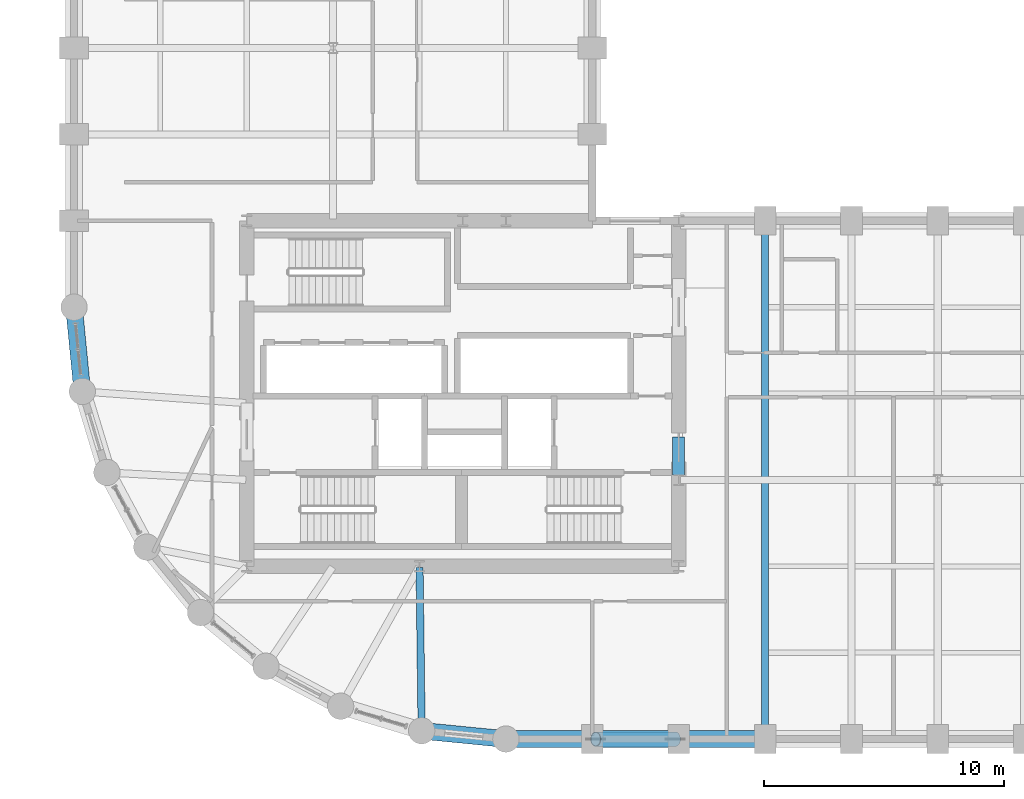
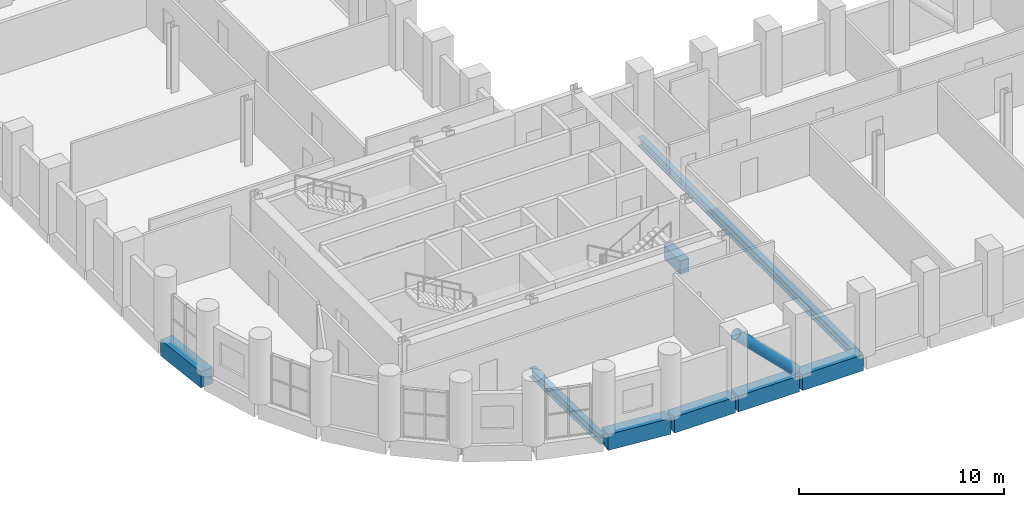
# One storey, part 4 of 13: 8 beams, 1 member.
"""IFC4 building model written with IfcOpenShell, lengths in metres."""

from ifc_helpers import new_model, si_unit, direction, frame, origin, origin_2d, place, context, subcontext, project, spatial, rectangle, hollow_circle, i_section, extrude, material, material_profile, profile_set, type_object, element, save


model = new_model("IFC4")

# Units and contexts
model_context = context("Model", 3, precision=1e-05, world=origin(), true_north=direction((0.0, 1.0)))
body_context = subcontext(model_context, "Body", "Model", "MODEL_VIEW")
ifc_project = project(units=[si_unit("LENGTHUNIT", "METRE"), si_unit("AREAUNIT", "SQUARE_METRE"), si_unit("VOLUMEUNIT", "CUBIC_METRE"), si_unit("PLANEANGLEUNIT", "RADIAN"), si_unit("MASSUNIT", "GRAM", prefix="KILO")], contexts=[model_context])

# Site, building, storey
site_placement = place(None, origin())
site = spatial("IfcSite", under=ifc_project, at=site_placement, CompositionType="ELEMENT")
building_placement = place(site_placement, origin())
building = spatial("IfcBuilding", under=site, at=building_placement, Name="Solnavia Interchange Tower", CompositionType="ELEMENT")
storey_placement = place(building_placement, frame((0.0, 0.0, 51.300048828125)))
storey = spatial("IfcBuildingStorey", under=building, at=storey_placement, Name="L12", CompositionType="ELEMENT", Elevation=51.300048828125)

# Beams
ifc_material_1 = material(Name="Concrete C50/60", Category="concrete")
ifc_material_profile_1 = material_profile(ifc_material_1, rectangle(XDim=0.5, YDim=0.800048828125, at=origin_2d()), Name="RC 500x800")
ifc_profile_set_1 = profile_set([ifc_material_profile_1], Name="Concrete C50/60")
beam_type_1 = type_object("IfcBeamType", Name="Beam-Coupling-RC500x800", PredefinedType="LINTEL", material=ifc_profile_set_1)
beam_1_placement = place(storey_placement, frame((32.39990234375, 14.60009765625, -0.400146484375), z_axis=(0.0, 1.0, 0.0), x_axis=(-1.0, 0.0, 0.0)))
element("IfcBeam", 1, at=beam_1_placement, inside=storey, type_object=beam_type_1, Name="CPB-L12-E1 Core coupling lintel beam", PredefinedType="LINTEL", context=body_context, shape_type="SweptSolid", body=[
    extrude(rectangle(XDim=0.5, YDim=0.800048828125, at=origin_2d()), origin(), (0.0, 0.0, 1.0), 1.599853515625),
])
ifc_material_2 = material(Name="Steel S460", Category="steel")
ifc_material_profile_2 = material_profile(ifc_material_2, i_section(OverallWidth=0.300048828125, OverallDepth=0.550048828125, WebThickness=0.014892578125, FlangeThickness=0.029052734375, FilletRadius=0.027099609375, at=origin_2d()), Name="HEB 550")
ifc_profile_set_2 = profile_set([ifc_material_profile_2], Name="Steel S460")
beam_type_2 = type_object("IfcBeamType", Name="Beam-Girder-HEB550", PredefinedType="BEAM", material=ifc_profile_set_2)
beam_2_placement = place(storey_placement, frame((36.0, 3.679931640625, -0.525146484375), z_axis=(0.0, 1.0, 0.0), x_axis=(-1.0, 0.0, 0.0)))
element("IfcBeam", 2, at=beam_2_placement, inside=storey, type_object=beam_type_2, Name="GRD-L12-EW04 East wing primary floor girder", PredefinedType="BEAM", context=body_context, shape_type="SweptSolid", body=[
    extrude(i_section(OverallWidth=0.300048828125, OverallDepth=0.550048828125, WebThickness=0.014892578125, FlangeThickness=0.029052734375, FilletRadius=0.027099609375, at=origin_2d()), origin(), (0.0, 0.0, 1.0), 21.440185546875),
])
beam_3_placement = place(storey_placement, frame((21.68701171875, 4.02587890625, -0.525146484375), z_axis=(-0.01283293513, 0.999917654498, 0.0), x_axis=(-0.999917654498, -0.01283293513, 0.0)))
element("IfcBeam", 3, at=beam_3_placement, inside=storey, type_object=beam_type_2, Name="GRD-L12-DR28 Drum radial floor girder", PredefinedType="BEAM", context=body_context, shape_type="SweptSolid", body=[
    extrude(i_section(OverallWidth=0.300048828125, OverallDepth=0.550048828125, WebThickness=0.014892578125, FlangeThickness=0.029052734375, FilletRadius=0.027099609375, at=origin_2d()), origin(), (0.0, 0.0, 1.0), 6.734619140625),
])
ifc_material_profile_3 = material_profile(ifc_material_1, rectangle(XDim=0.699951171875, YDim=0.949951171875, at=origin_2d()), Name="RC 700x950")
ifc_profile_set_3 = profile_set([ifc_material_profile_3], Name="Concrete C50/60")
beam_type_3 = type_object("IfcBeamType", Name="Beam-Spandrel-RC700x950", PredefinedType="SPANDREL", material=ifc_profile_set_3)
beam_4_placement = place(storey_placement, frame((7.207763671875, 21.5205078125, -0.47509765625), z_axis=(0.098040038117, -0.995182471171, 0.0), x_axis=(0.995182471171, 0.098040038117, 0.0)))
element("IfcBeam", 4, at=beam_4_placement, inside=storey, type_object=beam_type_3, Name="SPB-L12-01 Framed-tube perimeter spandrel beam", PredefinedType="SPANDREL", context=body_context, shape_type="SweptSolid", body=[
    extrude(rectangle(XDim=0.699951171875, YDim=0.949951171875, at=origin_2d()), origin(), (0.0, 0.0, 1.0), 3.369140625),
])
beam_5_placement = place(storey_placement, frame((21.767578125, 3.938232421875, -0.47509765625), z_axis=(0.995181774609, -0.098047108501, 0.0), x_axis=(0.098047108501, 0.995181774609, 0.0)))
element("IfcBeam", 5, at=beam_5_placement, inside=storey, type_object=beam_type_3, Name="SPB-L12-08 Framed-tube perimeter spandrel beam", PredefinedType="SPANDREL", context=body_context, shape_type="SweptSolid", body=[
    extrude(rectangle(XDim=0.699951171875, YDim=0.949951171875, at=origin_2d()), origin(), (0.0, 0.0, 1.0), 3.368896484375),
])
beam_6_placement = place(storey_placement, frame((25.280029296875, 3.60009765625, -0.47509765625), z_axis=(1.0, 0.0, 0.0), x_axis=(0.0, 1.0, 0.0)))
element("IfcBeam", 6, at=beam_6_placement, inside=storey, type_object=beam_type_3, Name="SPB-L12-09 Framed-tube perimeter spandrel beam", PredefinedType="SPANDREL", context=body_context, shape_type="SweptSolid", body=[
    extrude(rectangle(XDim=0.699951171875, YDim=0.949951171875, at=origin_2d()), origin(), (0.0, 0.0, 1.0), 3.43994140625),
])
beam_7_placement = place(storey_placement, frame((28.8798828125, 3.60009765625, -0.47509765625), z_axis=(1.0, 0.0, 0.0), x_axis=(0.0, 1.0, 0.0)))
element("IfcBeam", 7, at=beam_7_placement, inside=storey, type_object=beam_type_3, Name="SPB-L12-10 Framed-tube perimeter spandrel beam", PredefinedType="SPANDREL", context=body_context, shape_type="SweptSolid", body=[
    extrude(rectangle(XDim=0.699951171875, YDim=0.949951171875, at=origin_2d()), origin(), (0.0, 0.0, 1.0), 3.440185546875),
])
beam_8_placement = place(storey_placement, frame((32.47998046875, 3.60009765625, -0.47509765625), z_axis=(1.0, 0.0, 0.0), x_axis=(0.0, 1.0, 0.0)))
element("IfcBeam", 8, at=beam_8_placement, inside=storey, type_object=beam_type_3, Name="SPB-L12-11 Framed-tube perimeter spandrel beam", PredefinedType="SPANDREL", context=body_context, shape_type="SweptSolid", body=[
    extrude(rectangle(XDim=0.699951171875, YDim=0.949951171875, at=origin_2d()), origin(), (0.0, 0.0, 1.0), 3.43994140625),
])

# Member
ifc_material_profile_4 = material_profile(ifc_material_2, hollow_circle(Radius=0.304931640625, WallThickness=0.02490234375, at=origin_2d()), Name="CHS 610x25")
ifc_profile_set_4 = profile_set([ifc_material_profile_4], Name="Steel S460")
member_type = type_object("IfcMemberType", Name="Brace-Perim-CHS610", PredefinedType="BRACE", material=ifc_profile_set_4)
member_placement = place(storey_placement, frame((32.260009765625, 3.60009765625, 0.179931640625), z_axis=(-0.710311792477, 0.0, 0.703887176661), x_axis=(0.0, -1.0, 0.0)))
element("IfcMember", 9, at=member_placement, inside=storey, type_object=member_type, Name="BRC-L12-01 Perimeter tube diagonal brace", PredefinedType="BRACE", context=body_context, shape_type="SweptSolid", body=[
    extrude(hollow_circle(Radius=0.304931640625, WallThickness=0.02490234375, at=origin_2d()), origin(), (0.0, 0.0, 1.0), 4.674072265625),
])

save(model, "model.ifc")
